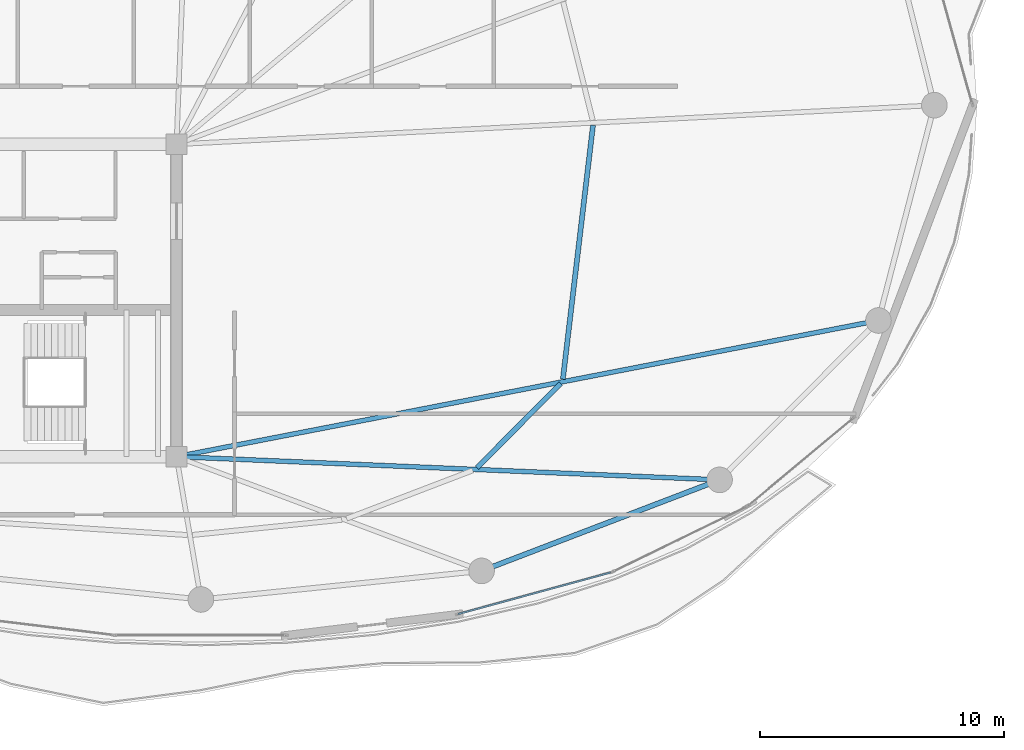
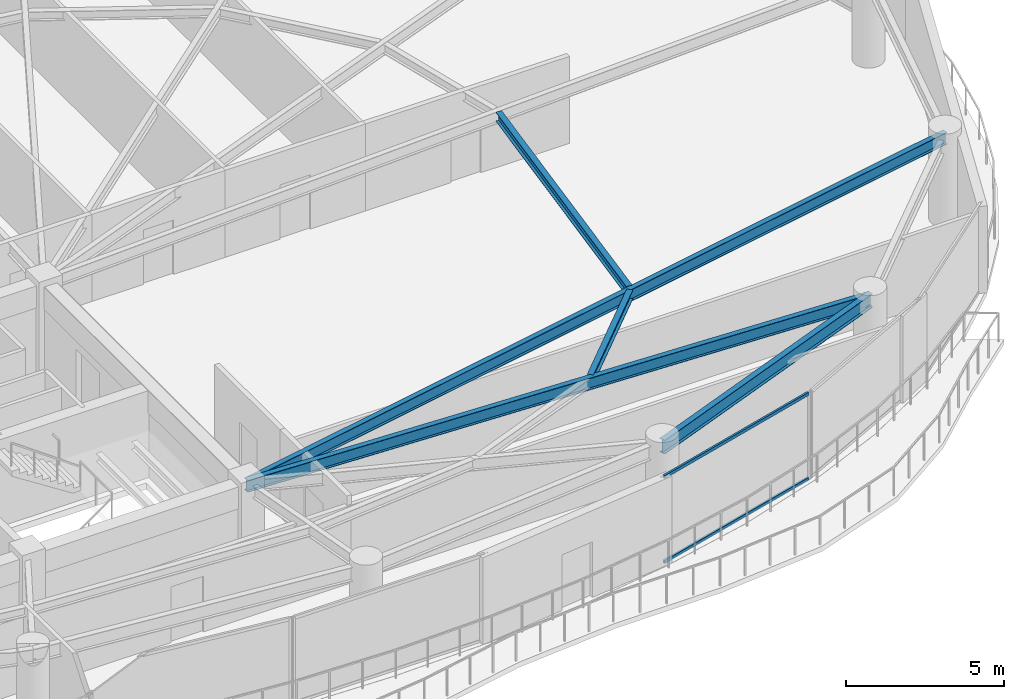
# One storey, part 11 of 28: 5 beams, 2 members, 1 element without a shape of its own.
"""IFC4 building model written with IfcOpenShell, lengths in metres."""

import ifcopenshell
import ifcopenshell.guid

model = None  # the IFC model being written
_history = None  # IfcOwnerHistory: only IFC2X3 demands one
_inside = {}  # id of a spatial element -> (the spatial element, [elements in it])
_under = {}  # id of a project, library or spatial element -> (it, [spatial elements below it])
_declared = {}  # id of a project -> (the project, [libraries it declares])
_typed = {}  # id of a type object -> (the type object, [elements of that type])
_made_of = {}  # id of a material, layer set ... -> (it, [elements and type objects made of it])


def new_model(schema):
    """Start an empty IFC model of exactly this schema.

    Asked for "IFC4X3", IfcOpenShell would pick the latest addendum, in which some entities
    have other attributes; the version numbers below select the first issue.
    IFC2X3 requires an IfcOwnerHistory on every rooted entity: one is made here for all.
    """
    global model, _history
    if schema == "IFC4X3":
        model = ifcopenshell.file(schema_version=(4, 3, 0, 0))
    else:
        model = ifcopenshell.file(schema=schema)
    _inside.clear()
    _under.clear()
    _declared.clear()
    _typed.clear()
    _made_of.clear()
    _history = None
    if model.schema == "IFC2X3":
        org = make("IfcOrganization", Name="unknown")
        user = make(
            "IfcPersonAndOrganization",
            ThePerson=make("IfcPerson", FamilyName="unknown"),
            TheOrganization=org,
        )
        app = make(
            "IfcApplication",
            ApplicationDeveloper=org,
            Version="unknown",
            ApplicationFullName="unknown",
            ApplicationIdentifier="unknown",
        )
        _history = make(
            "IfcOwnerHistory",
            OwningUser=user,
            OwningApplication=app,
            ChangeAction="ADDED",
            CreationDate=0,
        )
    return model


def make(cls, **values):
    """One entity of the class cls with the attributes given. An attribute that is None is left unset."""
    return model.create_entity(
        cls, **{name: value for name, value in values.items() if value is not None}
    )


def rooted(cls, **values):
    """An entity with a GlobalId (a new one), such as an element, a storey or a relation."""
    return make(cls, GlobalId=ifcopenshell.guid.new(), OwnerHistory=_history, **values)


def si_unit(unit_type, name, prefix=None):
    """IfcSIUnit, for example si_unit("LENGTHUNIT", "METRE", prefix="MILLI")."""
    return make("IfcSIUnit", UnitType=unit_type, Prefix=prefix, Name=name)


def assignment(units):
    """IfcUnitAssignment: the units of a project."""
    return None if units is None else make("IfcUnitAssignment", Units=units)


def point(xyz):
    """IfcCartesianPoint."""
    return None if xyz is None else make("IfcCartesianPoint", Coordinates=xyz)


def direction(xyz):
    """IfcDirection."""
    return None if xyz is None else make("IfcDirection", DirectionRatios=xyz)


def frame(location, z_axis=None, x_axis=None):
    """IfcAxis2Placement3D, a coordinate frame: its origin and axes. An axis left out is left unset."""
    return make(
        "IfcAxis2Placement3D",
        Location=point(location),
        Axis=direction(z_axis),
        RefDirection=direction(x_axis),
    )


def frame_2d(location, x_axis=None):
    """IfcAxis2Placement2D, a coordinate frame in the plane: its origin and x axis."""
    return make(
        "IfcAxis2Placement2D", Location=point(location), RefDirection=direction(x_axis)
    )


def origin():
    """The frame at (0, 0, 0) with its axes left unset."""
    return frame((0.0, 0.0, 0.0))


def origin_2d():
    """The frame at (0, 0) in the plane with its x axis left unset."""
    return frame_2d((0.0, 0.0))


def place(relative_to, where):
    """IfcLocalPlacement: puts the frame where relative to a parent placement (None: the world)."""
    return make(
        "IfcLocalPlacement", PlacementRelTo=relative_to, RelativePlacement=where
    )


def context(
    kind, dimensions, precision=None, world=None, true_north=None, identifier=None
):
    """IfcGeometricRepresentationContext, for example the 3D "Model" context."""
    return make(
        "IfcGeometricRepresentationContext",
        ContextIdentifier=identifier,
        ContextType=kind,
        CoordinateSpaceDimension=dimensions,
        Precision=precision,
        WorldCoordinateSystem=world,
        TrueNorth=true_north,
    )


def subcontext(parent, identifier, kind, view, scale=None):
    """IfcGeometricRepresentationSubContext, for example "Body" below "Model"."""
    return make(
        "IfcGeometricRepresentationSubContext",
        ContextIdentifier=identifier,
        ContextType=kind,
        ParentContext=parent,
        TargetScale=scale,
        TargetView=view,
    )


def project(units=None, contexts=None):
    """IfcProject with its units and contexts."""
    return rooted(
        "IfcProject",
        Name="project",
        RepresentationContexts=contexts,
        UnitsInContext=assignment(units),
    )


def spatial(cls, under=None, at=None, **own):
    """A site, building, storey or space (cls), placed at a placement, below another one or the project."""
    s = rooted(cls, ObjectPlacement=at, **own)
    if under is not None:
        _under.setdefault(under.id(), (under, []))[1].append(s)
    return s


def profile(cls, at=None, kind="AREA", **sizes):
    """A parametric profile (cls). Its sizes go by their IFC names, for example OverallWidth=200.0."""
    return make(cls, ProfileType=kind, Position=at, **sizes)


def hollow_rectangle(**sizes):
    """IfcRectangleHollowProfileDef."""
    return profile("IfcRectangleHollowProfileDef", **sizes)


def i_section(**sizes):
    """IfcIShapeProfileDef."""
    return profile("IfcIShapeProfileDef", **sizes)


def extrude(swept, where, along, depth):
    """IfcExtrudedAreaSolid: the profile swept, set in the frame where, extruded along a direction by depth."""
    return make(
        "IfcExtrudedAreaSolid",
        SweptArea=swept,
        Position=where,
        ExtrudedDirection=direction(along),
        Depth=depth,
    )


def shape(context_of_items, identifier, shape_type, items):
    """IfcShapeRepresentation: the items that make up one representation, for example the "Body"."""
    return make(
        "IfcShapeRepresentation",
        ContextOfItems=context_of_items,
        RepresentationIdentifier=identifier,
        RepresentationType=shape_type,
        Items=items,
    )


def material(Name=None, Category=None):
    """IfcMaterial."""
    return make("IfcMaterial", Name=Name, Category=Category)


def layer(
    of_material, thickness, ventilated=None, Name=None, Category=None, Priority=None
):
    """IfcMaterialLayer: one layer of a wall or slab, of a material (None: an air gap)."""
    return make(
        "IfcMaterialLayer",
        Material=of_material,
        LayerThickness=thickness,
        IsVentilated=ventilated,
        Name=Name,
        Category=Category,
        Priority=Priority,
    )


def layer_set(layers, Name=None):
    """IfcMaterialLayerSet."""
    return make("IfcMaterialLayerSet", MaterialLayers=layers, LayerSetName=Name)


def material_profile(
    of_material, cross_section, Name=None, Category=None, Priority=None
):
    """IfcMaterialProfile: a cross section and its material."""
    return make(
        "IfcMaterialProfile",
        Name=Name,
        Material=of_material,
        Profile=cross_section,
        Priority=Priority,
        Category=Category,
    )


def profile_set(profiles, Name=None, composite=None):
    """IfcMaterialProfileSet."""
    return make(
        "IfcMaterialProfileSet",
        Name=Name,
        MaterialProfiles=profiles,
        CompositeProfile=composite,
    )


def made_of(thing, what):
    """Note that an element or type object is made of a material, layer set ...; save() writes the relation."""
    if what is not None:
        _made_of.setdefault(what.id(), (what, []))[1].append(thing)
    return thing


def type_object(cls, material=None, **own):
    """A type object (cls), such as IfcWallType, which elements share."""
    return made_of(rooted(cls, **own), material)


def element(
    cls,
    number,
    at=None,
    inside=None,
    cuts=None,
    type_object=None,
    material=None,
    context=None,
    identifier="Body",
    shape_type=None,
    held_by="IfcProductDefinitionShape",
    body=None,
    shapes=None,
    **own,
):
    """One element of the class cls, such as IfcWall. Its Tag is "e" and its number.

    at: its placement. inside: the storey or other place that contains it. cuts: it is an
    opening in that element (IfcRelVoidsElement). A single representation is given by context,
    identifier, shape_type and body (its items); several are given by shapes. held_by: the class
    of the entity that holds the representations. save() writes the other relations.
    """
    e = rooted(cls, Tag="e%d" % number, ObjectPlacement=at, **own)
    if body is not None:
        shapes = [shape(context, identifier, shape_type, body)]
    if shapes is not None:
        e.Representation = make(held_by, Representations=shapes)
    if inside is not None:
        _inside.setdefault(inside.id(), (inside, []))[1].append(e)
    if cuts is not None:
        rooted(
            "IfcRelVoidsElement", RelatingBuildingElement=cuts, RelatedOpeningElement=e
        )
    if type_object is not None:
        _typed.setdefault(type_object.id(), (type_object, []))[1].append(e)
    return made_of(e, material)


def aggregate(whole, parts):
    """IfcRelAggregates: a whole, such as a stair, and the parts it consists of."""
    return rooted("IfcRelAggregates", RelatingObject=whole, RelatedObjects=parts)


def save(model, path):
    """Write the relations noted so far, then the file.

    IfcRelAggregates (storeys below a building ...), IfcRelContainedInSpatialStructure (elements
    in a storey), IfcRelDefinesByType, IfcRelAssociatesMaterial and IfcRelDeclares: one each for
    every whole, place, type object, material and project.
    """
    for whole, parts in _under.values():
        aggregate(whole, parts)
    for where, things in _inside.values():
        rooted(
            "IfcRelContainedInSpatialStructure",
            RelatedElements=things,
            RelatingStructure=where,
        )
    for kind, things in _typed.values():
        rooted("IfcRelDefinesByType", RelatedObjects=things, RelatingType=kind)
    for what, things in _made_of.values():
        rooted("IfcRelAssociatesMaterial", RelatedObjects=things, RelatingMaterial=what)
    for by, libraries in _declared.values():
        rooted("IfcRelDeclares", RelatingContext=by, RelatedDefinitions=libraries)
    model.write(path)


model = new_model("IFC4")

# Units and contexts
model_context = context("Model", 3, precision=1e-05, world=origin(), true_north=direction((0.0, 1.0)))
body_context = subcontext(model_context, "Body", "Model", "MODEL_VIEW")
ifc_project = project(units=[si_unit("LENGTHUNIT", "METRE"), si_unit("AREAUNIT", "SQUARE_METRE"), si_unit("VOLUMEUNIT", "CUBIC_METRE"), si_unit("PLANEANGLEUNIT", "RADIAN"), si_unit("MASSUNIT", "GRAM", prefix="KILO")], contexts=[model_context])

# Site, building, storey
site_placement = place(None, origin())
site = spatial("IfcSite", under=ifc_project, at=site_placement, CompositionType="ELEMENT")
building_placement = place(site_placement, origin())
building = spatial("IfcBuilding", under=site, at=building_placement, Name="Kazevale Care Tower and Concert Hall", CompositionType="ELEMENT")
storey_placement = place(building_placement, frame((0.0, 0.0, 246.0)))
storey = spatial("IfcBuildingStorey", under=building, at=storey_placement, Name="L65", CompositionType="ELEMENT", Elevation=246.0)

# Curtain wall, members
ifc_material_1 = material(Name="Aluminium 6063-T6 and Low-E Glass", Category="aluminium")
ifc_layer = layer(ifc_material_1, 0.179931640625)
ifc_layer_set = layer_set([ifc_layer], Name="Aluminium 6063-T6 and Low-E Glass")
curtain_wall_type = type_object("IfcCurtainWallType", Name="Sheltered Concave Balcony Curtain Wall CW-5", PredefinedType="NOTDEFINED", material=ifc_layer_set)
curtain_wall_placement = place(storey_placement, origin())
curtain_wall = element("IfcCurtainWall", 1, at=curtain_wall_placement, inside=storey, type_object=curtain_wall_type, Name="cw:L65:f04", PredefinedType="NOTDEFINED")
ifc_material_2 = material(Name="Aluminium 6063-T6", Category="aluminium")
ifc_material_profile_1 = material_profile(ifc_material_2, hollow_rectangle(XDim=0.074951171875, YDim=0.1201171875, WallThickness=0.00390625, at=origin_2d()), Name="ALU75x120x4")
ifc_profile_set_1 = profile_set([ifc_material_profile_1], Name="Aluminium 6063-T6")
member_type = type_object("IfcMemberType", Name="CW-5 Transom ALU75x120x4", PredefinedType="USERDEFINED", material=ifc_profile_set_1)
member_1_placement = place(storey_placement, frame((61.78369140625, 18.853271484375, 0.03759765625), z_axis=(-0.964843890632, -0.262823641842, 0.0), x_axis=(0.262823641842, -0.964843890632, 0.0)))
member_1 = element("IfcMember", 2, at=member_1_placement, type_object=member_type, Name="CW-5 transom 1.1", ObjectType="TRANSOM", PredefinedType="USERDEFINED", context=body_context, shape_type="SweptSolid", body=[
    extrude(hollow_rectangle(XDim=0.074951171875, YDim=0.1201171875, WallThickness=0.00390625, at=origin_2d()), origin(), (0.0, 0.0, 1.0), 6.469970703125),
])
member_2_placement = place(storey_placement, frame((61.78369140625, 18.853271484375, 3.322509765625), z_axis=(-0.964843890632, -0.262823641842, 0.0), x_axis=(0.262823641842, -0.964843890632, 0.0)))
member_2 = element("IfcMember", 3, at=member_2_placement, type_object=member_type, Name="CW-5 transom 1.2", ObjectType="TRANSOM", PredefinedType="USERDEFINED", context=body_context, shape_type="SweptSolid", body=[
    extrude(hollow_rectangle(XDim=0.074951171875, YDim=0.1201171875, WallThickness=0.00390625, at=origin_2d()), origin(), (0.0, 0.0, 1.0), 6.469970703125),
])
aggregate(curtain_wall, [member_1, member_2])

# Beams
ifc_material_3 = material(Name="Steel ASTM A572 Gr 50", Category="steel")
ifc_material_profile_2 = material_profile(ifc_material_3, i_section(OverallWidth=0.19091796875, OverallDepth=0.4599609375, WebThickness=0.010009765625, FlangeThickness=0.01611328125, at=origin_2d()), Name="W460x82")
ifc_profile_set_2 = profile_set([ifc_material_profile_2], Name="Steel ASTM A572 Gr 50")
beam_type_1 = type_object("IfcBeamType", Name="Radial Floor Beam W460x82", PredefinedType="BEAM", material=ifc_profile_set_2)
beam_1_placement = place(storey_placement, frame((44.0, 23.60009765625, 3.1298828125), z_axis=(0.999089369477, -0.042666518456, 0.0), x_axis=(0.042666518456, 0.999089369477, 0.0)))
element("IfcBeam", 4, at=beam_1_placement, inside=storey, type_object=beam_type_1, Name="beam:L65:rad:15", PredefinedType="BEAM", context=body_context, shape_type="SweptSolid", body=[
    extrude(i_section(OverallWidth=0.19091796875, OverallDepth=0.4599609375, WebThickness=0.010009765625, FlangeThickness=0.01611328125, at=origin_2d()), origin(), (0.0, 0.0, 1.0), 22.270263671875),
])
beam_2_placement = place(storey_placement, frame((44.0, 23.60009765625, 3.1298828125), z_axis=(0.981694544574, 0.190462125247, 0.0), x_axis=(-0.190462125247, 0.981694544574, 0.0)))
element("IfcBeam", 5, at=beam_2_placement, inside=storey, type_object=beam_type_1, Name="beam:L65:rad:16", PredefinedType="BEAM", context=body_context, shape_type="SweptSolid", body=[
    extrude(i_section(OverallWidth=0.19091796875, OverallDepth=0.4599609375, WebThickness=0.010009765625, FlangeThickness=0.01611328125, at=origin_2d()), origin(), (0.0, 0.0, 1.0), 29.29638671875),
])
ifc_material_profile_3 = material_profile(ifc_material_3, i_section(OverallWidth=0.205078125, OverallDepth=0.35400390625, WebThickness=0.009521484375, FlangeThickness=0.016845703125, at=origin_2d()), Name="W360x79")
ifc_profile_set_3 = profile_set([ifc_material_profile_3], Name="Steel ASTM A572 Gr 50")
beam_type_2 = type_object("IfcBeamType", Name="Secondary Floor Joist W360x79", PredefinedType="JOIST", material=ifc_profile_set_3)
beam_3_placement = place(storey_placement, frame((56.31201171875, 23.152099609375, 3.18310546875), z_axis=(0.705975874919, 0.708235881633, 0.0), x_axis=(-0.708235881633, 0.705975874919, 0.0)))
element("IfcBeam", 6, at=beam_3_placement, inside=storey, type_object=beam_type_2, Name="beam:L65:joist:15", PredefinedType="JOIST", context=body_context, shape_type="SweptSolid", body=[
    extrude(i_section(OverallWidth=0.205078125, OverallDepth=0.35400390625, WebThickness=0.009521484375, FlangeThickness=0.016845703125, at=origin_2d()), origin(), (0.0, 0.0, 1.0), 4.861083984375),
])
beam_4_placement = place(storey_placement, frame((59.830078125, 26.77294921875, 3.18310546875), z_axis=(0.117874218468, 0.993028533639, 0.0), x_axis=(-0.993028533639, 0.117874218468, 0.0)))
element("IfcBeam", 7, at=beam_4_placement, inside=storey, type_object=beam_type_2, Name="beam:L65:joist:16", PredefinedType="JOIST", context=body_context, shape_type="SweptSolid", body=[
    extrude(i_section(OverallWidth=0.205078125, OverallDepth=0.35400390625, WebThickness=0.009521484375, FlangeThickness=0.016845703125, at=origin_2d()), origin(), (0.0, 0.0, 1.0), 10.47607421875),
])
ifc_material_profile_4 = material_profile(ifc_material_3, i_section(OverallWidth=0.208984375, OverallDepth=0.532958984375, WebThickness=0.01025390625, FlangeThickness=0.015625, at=origin_2d()), Name="W530x92")
ifc_profile_set_4 = profile_set([ifc_material_profile_4], Name="Steel ASTM A572 Gr 50")
beam_type_3 = type_object("IfcBeamType", Name="Upper Ring Beam W530x92", PredefinedType="BEAM", material=ifc_profile_set_4)
beam_5_placement = place(storey_placement, frame((56.5, 18.919921875, 3.093505859375), z_axis=(0.933986653173, 0.357307894811, 0.0), x_axis=(-0.357307894811, 0.933986653173, 0.0)))
element("IfcBeam", 8, at=beam_5_placement, inside=storey, type_object=beam_type_3, Name="beam:L65:ring:14", PredefinedType="BEAM", context=body_context, shape_type="SweptSolid", body=[
    extrude(i_section(OverallWidth=0.208984375, OverallDepth=0.532958984375, WebThickness=0.01025390625, FlangeThickness=0.015625, at=origin_2d()), origin(), (0.0, 0.0, 1.0), 10.439208984375),
])

save(model, "model.ifc")
